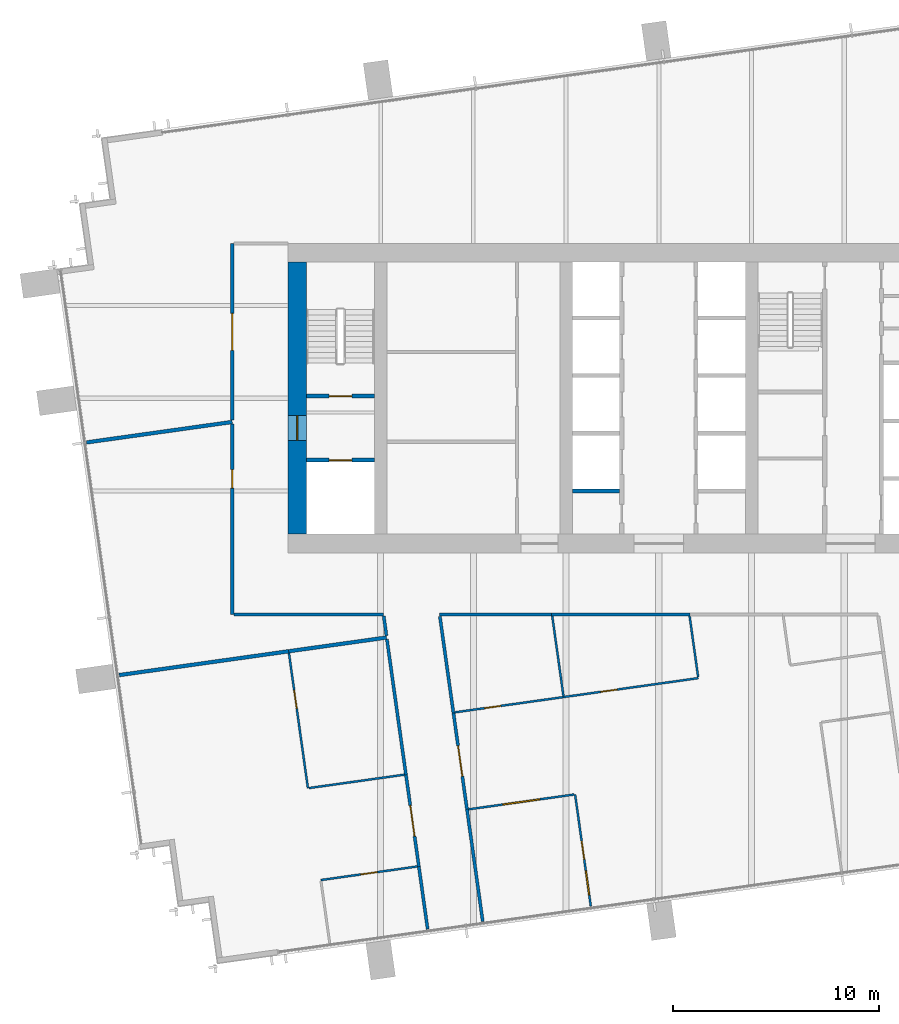
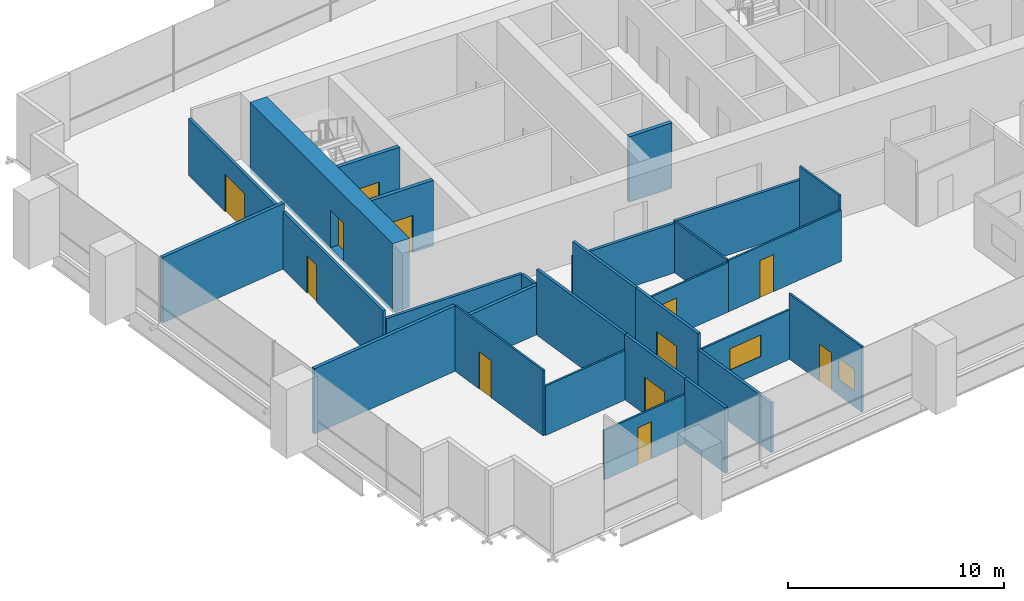
# One storey, part 9 of 14: 28 walls, 12 doors, 2 windows, 14 openings.
"""IFC4 building model written with IfcOpenShell, lengths in metres."""

from ifc_helpers import new_model, si_unit, direction, frame, frame_2d, origin, place, context, subcontext, project, spatial, rectangle, extrude, material, layer, layer_set, type_object, element, fill, save


model = new_model("IFC4")

# Units and contexts
model_context = context("Model", 3, precision=1e-05, world=origin(), true_north=direction((0.0, 1.0)))
body_context = subcontext(model_context, "Body", "Model", "MODEL_VIEW")
ifc_project = project(units=[si_unit("LENGTHUNIT", "METRE"), si_unit("AREAUNIT", "SQUARE_METRE"), si_unit("VOLUMEUNIT", "CUBIC_METRE"), si_unit("PLANEANGLEUNIT", "RADIAN"), si_unit("MASSUNIT", "GRAM", prefix="KILO")], contexts=[model_context])

# Site, building, storey
site_placement = place(None, origin())
site = spatial("IfcSite", under=ifc_project, at=site_placement, CompositionType="ELEMENT")
building_placement = place(site_placement, origin())
building = spatial("IfcBuilding", under=site, at=building_placement, Name="Rattan Terrace Tower", CompositionType="ELEMENT")
storey_placement = place(building_placement, frame((0.0, 0.0, 184.10009765625)))
storey = spatial("IfcBuildingStorey", under=building, at=storey_placement, Name="L42", CompositionType="ELEMENT", Elevation=184.10009765625)

# Wall, opening, door
ifc_material_1 = material(Name="Gypsum board partition")
ifc_layer_1 = layer(ifc_material_1, 0.199951171875)
ifc_layer_set_1 = layer_set([ifc_layer_1], Name="Core partition 200")
wall_type_1 = type_object("IfcWallType", Name="Core partition 200", PredefinedType="PARTITIONING", material=ifc_layer_set_1)
wall_1_placement = place(storey_placement, frame((-17.10009765625, -3.0, 0.0), z_axis=(0.0, 0.0, 1.0), x_axis=(1.0, 0.0, 0.0)))
wall_1 = element("IfcWall", 1, at=wall_1_placement, inside=storey, type_object=wall_type_1, Name="Fire-fighting lobby wall", PredefinedType="PARTITIONING", context=body_context, shape_type="SweptSolid", body=[
    extrude(rectangle(XDim=3.300048828125, YDim=0.199951171875, at=frame_2d((1.64990234375, 0.0))), origin(), (0.0, 0.0, 1.0), 3.699951171875),
])
opening_1_placement = place(wall_1_placement, frame((1.10009765625, 0.0, 0.0)))
opening_1 = element("IfcOpeningElement", 2, at=opening_1_placement, cuts=wall_1, Name="Opening L42-LD-FF1", PredefinedType="OPENING", context=body_context, shape_type="SweptSolid", body=[
    extrude(rectangle(XDim=1.10009765625, YDim=2.10009765625, at=frame_2d((0.550048828125, 1.050048828125))), frame((0.0, 0.110595703125, 0.0), z_axis=(0.0, -1.0, 0.0), x_axis=(1.0, 0.0, 0.0)), (0.0, 0.0, 1.0), 0.220947265625),
])
ifc_material_2 = material(Name="Brushed stainless landing door panel")
door_type_1 = type_object("IfcDoorType", Name="Core lift landing door 1100", OperationType="DOUBLE_DOOR_SLIDING", PredefinedType="DOOR", material=ifc_material_2)
door_1_placement = place(opening_1_placement, origin())
door_1 = element("IfcDoor", 3, at=door_1_placement, inside=storey, type_object=door_type_1, Name="Door L42-LD-FF1", OperationType="DOUBLE_DOOR_SLIDING", OverallHeight=2.10009765625, OverallWidth=1.10009765625, PredefinedType="DOOR", context=body_context, shape_type="SweptSolid", body=[
    extrude(rectangle(XDim=1.10009765625, YDim=2.10009765625, at=frame_2d((0.550048828125, 1.050048828125))), frame((0.0, 0.02490234375, 0.0), z_axis=(0.0, -1.0, 0.0), x_axis=(1.0, 0.0, 0.0)), (0.0, 0.0, 1.0), 0.050048828125),
])
fill(opening_1, door_1)

wall_2_placement = place(storey_placement, frame((-17.10009765625, 0.10009765625, 0.0), z_axis=(0.0, 0.0, 1.0), x_axis=(1.0, 0.0, 0.0)))
wall_2 = element("IfcWall", 4, at=wall_2_placement, inside=storey, type_object=wall_type_1, Name="Stair enclosure wall", PredefinedType="PARTITIONING", context=body_context, shape_type="SweptSolid", body=[
    extrude(rectangle(XDim=3.300048828125, YDim=0.199951171875, at=frame_2d((1.64990234375, 0.0))), origin(), (0.0, 0.0, 1.0), 3.699951171875),
])
opening_2_placement = place(wall_2_placement, frame((1.10009765625, 0.0, 0.0)))
opening_2 = element("IfcOpeningElement", 5, at=opening_2_placement, cuts=wall_2, Name="Opening L42-D002", PredefinedType="OPENING", context=body_context, shape_type="SweptSolid", body=[
    extrude(rectangle(XDim=1.10009765625, YDim=2.10009765625, at=frame_2d((0.550048828125, 1.050048828125))), frame((0.0, 0.110595703125, 0.0), z_axis=(0.0, -1.0, 0.0), x_axis=(1.0, 0.0, 0.0)), (0.0, 0.0, 1.0), 0.220947265625),
])
ifc_material_3 = material(Name="Hollow-metal fire door leaf")
door_type_2 = type_object("IfcDoorType", Name="Core stair door 1100", OperationType="NOTDEFINED", PredefinedType="DOOR", material=ifc_material_3)
door_2_placement = place(opening_2_placement, origin())
door_2 = element("IfcDoor", 6, at=door_2_placement, inside=storey, type_object=door_type_2, Name="Door L42-D002", OperationType="SINGLE_SWING_RIGHT", OverallHeight=2.10009765625, OverallWidth=1.10009765625, PredefinedType="DOOR", context=body_context, shape_type="SweptSolid", body=[
    extrude(rectangle(XDim=1.10009765625, YDim=2.10009765625, at=frame_2d((0.550048828125, 1.050048828125))), frame((0.0, 0.02490234375, 0.0), z_axis=(0.0, -1.0, 0.0), x_axis=(1.0, 0.0, 0.0)), (0.0, 0.0, 1.0), 0.050048828125),
])
fill(opening_2, door_2)

ifc_material_4 = material(Name="Concrete C60/75", Category="concrete")
ifc_layer_2 = layer(ifc_material_4, 0.89990234375)
ifc_layer_set_2 = layer_set([ifc_layer_2], Name="Core ring wall 900 C60/75")
wall_type_2 = type_object("IfcWallType", Name="Core ring wall 900 C60/75", PredefinedType="SHEAR", material=ifc_layer_set_2)
wall_3_placement = place(storey_placement, frame((-17.550048828125, -6.60009765625, -0.2001953125), z_axis=(0.0, 0.0, 1.0), x_axis=(0.0, 1.0, 0.0)))
wall_3 = element("IfcWall", 7, at=wall_3_placement, inside=storey, type_object=wall_type_2, Name="Rear core wall west", PredefinedType="SHEAR", context=body_context, shape_type="SweptSolid", body=[
    extrude(rectangle(XDim=13.2001953125, YDim=0.89990234375, at=frame_2d((6.60009765625, 0.0))), origin(), (0.0, 0.0, 1.0), 3.900146484375),
])
opening_3_placement = place(wall_3_placement, frame((4.550048828125, 0.0, 0.199951171875)))
opening_3 = element("IfcOpeningElement", 8, at=opening_3_placement, cuts=wall_3, Name="Opening L42-D001", PredefinedType="OPENING", context=body_context, shape_type="SweptSolid", body=[
    extrude(rectangle(XDim=1.199951171875, YDim=2.10009765625, at=frame_2d((0.60009765625, 1.050048828125))), frame((0.0, 0.46044921875, 0.0), z_axis=(0.0, -1.0, 0.0), x_axis=(1.0, 0.0, 0.0)), (0.0, 0.0, 1.0), 0.9208984375),
])
ifc_material_5 = material(Name="Hollow-metal fire door leaf")
door_type_3 = type_object("IfcDoorType", Name="Core fire-fighting lobby door 1200", OperationType="NOTDEFINED", PredefinedType="DOOR", material=ifc_material_5)
door_3_placement = place(opening_3_placement, origin())
door_3 = element("IfcDoor", 9, at=door_3_placement, inside=storey, type_object=door_type_3, Name="Door L42-D001", OperationType="SINGLE_SWING_LEFT", OverallHeight=2.10009765625, OverallWidth=1.199951171875, PredefinedType="DOOR", context=body_context, shape_type="SweptSolid", body=[
    extrude(rectangle(XDim=1.199951171875, YDim=2.10009765625, at=frame_2d((0.60009765625, 1.050048828125))), frame((0.0, 0.02490234375, 0.0), z_axis=(0.0, -1.0, 0.0), x_axis=(1.0, 0.0, 0.0)), (0.0, 0.0, 1.0), 0.050048828125),
])
fill(opening_3, door_3)

# Walls
ifc_material_6 = material(Name="Double steel stud acoustic partition, gypsum board, mineral wool, fire rated", Category="steel")
ifc_layer_3 = layer(ifc_material_6, 0.179931640625)
ifc_layer_set_3 = layer_set([ifc_layer_3], Name="Floors Acoustic Party Wall 180")
wall_type_3 = type_object("IfcWallType", Name="Floors Acoustic Party Wall 180", PredefinedType="PARTITIONING", material=ifc_layer_set_3)
wall_4_placement = place(storey_placement, frame((-26.18310546875, -13.43603515625, 0.0), z_axis=(0.0, 0.0, 1.0), x_axis=(0.990260506457, 0.139226898809, 0.0)))
element("IfcWall", 10, at=wall_4_placement, inside=storey, type_object=wall_type_3, Name="pt-L42-029", PredefinedType="PARTITIONING", context=body_context, shape_type="SweptSolid", body=[
    extrude(rectangle(XDim=8.302978515625, YDim=0.179931640625, at=frame_2d((4.1513671875, 0.0))), origin(), (0.0, 0.0, 1.0), 3.699951171875),
])
wall_5_placement = place(storey_placement, frame((-17.9609375, -12.280029296875, 0.0), z_axis=(0.0, 0.0, 1.0), x_axis=(0.990268412035, 0.139170658277, 0.0)))
element("IfcWall", 11, at=wall_5_placement, inside=storey, type_object=wall_type_3, Name="pt-L42-030", PredefinedType="PARTITIONING", context=body_context, shape_type="SweptSolid", body=[
    extrude(rectangle(XDim=4.799560546875, YDim=0.179931640625, at=frame_2d((2.39990234375, 0.0))), origin(), (0.0, 0.0, 1.0), 2.7998046875),
])
wall_6_placement = place(storey_placement, frame((-27.76904296875, -2.14599609375, 0.0), z_axis=(0.0, 0.0, 1.0), x_axis=(0.990279188786, 0.139093954785, 0.0)))
element("IfcWall", 12, at=wall_6_placement, inside=storey, type_object=wall_type_3, Name="pt-L42-039", PredefinedType="PARTITIONING", context=body_context, shape_type="SweptSolid", body=[
    extrude(rectangle(XDim=7.138427734375, YDim=0.179931640625, at=frame_2d((3.5693359375, 0.0))), origin(), (0.0, 0.0, 1.0), 3.699951171875),
])

# Wall, opening, door
ifc_material_7 = material(Name="Gypsum board partition on steel studs", Category="steel")
ifc_layer_4 = layer(ifc_material_7, 0.10009765625)
ifc_layer_set_4 = layer_set([ifc_layer_4], Name="Floors Partition 100")
wall_type_4 = type_object("IfcWallType", Name="Floors Partition 100", PredefinedType="PARTITIONING", material=ifc_layer_set_4)
wall_7_placement = place(storey_placement, frame((-11.720947265625, -22.722900390625, 0.0), z_axis=(0.0, 0.0, 1.0), x_axis=(-0.990254018594, -0.139273036368, 0.0)))
wall_7 = element("IfcWall", 13, at=wall_7_placement, inside=storey, type_object=wall_type_4, Name="pt-L42-026", PredefinedType="PARTITIONING", context=body_context, shape_type="SweptSolid", body=[
    extrude(rectangle(XDim=4.72607421875, YDim=0.10009765625, at=frame_2d((2.363037109375, 0.0))), origin(), (0.0, 0.0, 1.0), 2.7998046875),
])
opening_4_placement = place(wall_7_placement, frame((1.962890625, 0.0, 0.0)))
opening_4 = element("IfcOpeningElement", 14, at=opening_4_placement, cuts=wall_7, Name="Opening L42-D101", PredefinedType="OPENING", context=body_context, shape_type="SweptSolid", body=[
    extrude(rectangle(XDim=0.800048828125, YDim=2.10009765625, at=frame_2d((0.39990234375, 1.050048828125))), frame((0.0, 0.060546875, 0.0), z_axis=(0.0, -1.0, 0.0), x_axis=(1.0, 0.0, 0.0)), (0.0, 0.0, 1.0), 0.12109375),
])
ifc_material_8 = material(Name="Solid core timber door, painted", Category="wood")
door_type_4 = type_object("IfcDoorType", Name="Floors Store Door 800x2100", OperationType="NOTDEFINED", PredefinedType="DOOR", material=ifc_material_8)
door_4_placement = place(opening_4_placement, origin())
door_4 = element("IfcDoor", 15, at=door_4_placement, inside=storey, type_object=door_type_4, Name="d-L42-101", OperationType="SINGLE_SWING_RIGHT", OverallHeight=2.10009765625, OverallWidth=0.800048828125, PredefinedType="DOOR", context=body_context, shape_type="SweptSolid", body=[
    extrude(rectangle(XDim=0.800048828125, YDim=2.10009765625, at=frame_2d((0.39990234375, 1.050048828125))), frame((0.0, 0.02490234375, 0.0), z_axis=(0.0, -1.0, 0.0), x_axis=(1.0, 0.0, 0.0)), (0.0, 0.0, 1.0), 0.050048828125),
])
fill(opening_4, door_4)

wall_8_placement = place(storey_placement, frame((-17.948974609375, -12.368896484375, 0.0), z_axis=(0.0, 0.0, 1.0), x_axis=(0.1392424012, -0.990258326755, 0.0)))
wall_8 = element("IfcWall", 16, at=wall_8_placement, inside=storey, type_object=wall_type_4, Name="pt-L42-027", PredefinedType="PARTITIONING", context=body_context, shape_type="SweptSolid", body=[
    extrude(rectangle(XDim=6.62060546875, YDim=0.10009765625, at=frame_2d((3.310302734375, 0.0))), origin(), (0.0, 0.0, 1.0), 3.699951171875),
])
opening_5_placement = place(wall_8_placement, frame((1.81591796875, 0.0, 0.0)))
opening_5 = element("IfcOpeningElement", 17, at=opening_5_placement, cuts=wall_8, Name="Opening L42-D102", PredefinedType="OPENING", context=body_context, shape_type="SweptSolid", body=[
    extrude(rectangle(XDim=0.89990234375, YDim=2.10009765625, at=frame_2d((0.449951171875, 1.050048828125))), frame((0.0, 0.060546875, 0.0), z_axis=(0.0, -1.0, 0.0), x_axis=(1.0, 0.0, 0.0)), (0.0, 0.0, 1.0), 0.12109375),
])
ifc_material_9 = material(Name="Solid core timber door, painted", Category="wood")
door_type_5 = type_object("IfcDoorType", Name="Floors Door 900x2100", OperationType="NOTDEFINED", PredefinedType="DOOR", material=ifc_material_9)
door_5_placement = place(opening_5_placement, origin())
door_5 = element("IfcDoor", 18, at=door_5_placement, inside=storey, type_object=door_type_5, Name="d-L42-102", OperationType="SINGLE_SWING_LEFT", OverallHeight=2.10009765625, OverallWidth=0.89990234375, PredefinedType="DOOR", context=body_context, shape_type="SweptSolid", body=[
    extrude(rectangle(XDim=0.89990234375, YDim=2.10009765625, at=frame_2d((0.449951171875, 1.050048828125))), frame((0.0, 0.02490234375, 0.0), z_axis=(0.0, -1.0, 0.0), x_axis=(1.0, 0.0, 0.0)), (0.0, 0.0, 1.0), 0.050048828125),
])
fill(opening_5, door_5)

# Wall
wall_9_placement = place(storey_placement, frame((-16.97705078125, -18.91796875, 0.0), z_axis=(0.0, 0.0, 1.0), x_axis=(0.990292211818, 0.139001205793, 0.0)))
element("IfcWall", 19, at=wall_9_placement, inside=storey, type_object=wall_type_4, Name="pt-L42-028", PredefinedType="PARTITIONING", context=body_context, shape_type="SweptSolid", body=[
    extrude(rectangle(XDim=4.675537109375, YDim=0.10009765625, at=frame_2d((2.337890625, 0.0))), origin(), (0.0, 0.0, 1.0), 2.7998046875),
])

# Wall, opening, window
wall_10_placement = place(storey_placement, frame((-4.114013671875, -19.23095703125, 0.0), z_axis=(0.0, 0.0, 1.0), x_axis=(-0.990279259335, -0.139093452508, 0.0)))
wall_10 = element("IfcWall", 20, at=wall_10_placement, inside=storey, type_object=wall_type_4, Name="pt-L42-049", PredefinedType="PARTITIONING", context=body_context, shape_type="SweptSolid", body=[
    extrude(rectangle(XDim=5.169189453125, YDim=0.10009765625, at=frame_2d((2.58447265625, 0.0))), origin(), (0.0, 0.0, 1.0), 2.7998046875),
])
opening_6_placement = place(wall_10_placement, frame((1.68505859375, 0.0, 0.89990234375)))
opening_6 = element("IfcOpeningElement", 21, at=opening_6_placement, cuts=wall_10, Name="Opening L42-W101", PredefinedType="OPENING", context=body_context, shape_type="SweptSolid", body=[
    extrude(rectangle(XDim=1.800048828125, YDim=1.199951171875, at=frame_2d((0.89990234375, 0.60009765625))), frame((0.0, 0.060546875, 0.0), z_axis=(0.0, -1.0, 0.0), x_axis=(1.0, 0.0, 0.0)), (0.0, 0.0, 1.0), 0.12109375),
])
ifc_material_10 = material(Name="Glass, clear, fixed in aluminium frame", Category="aluminium")
window_type_1 = type_object("IfcWindowType", Name="Interior Vision Window 1800x1200", PartitioningType="SINGLE_PANEL", PredefinedType="WINDOW", material=ifc_material_10)
window_1_placement = place(opening_6_placement, origin())
window_1 = element("IfcWindow", 22, at=window_1_placement, inside=storey, type_object=window_type_1, Name="w-L42-101", OverallHeight=1.199951171875, OverallWidth=1.800048828125, PartitioningType="SINGLE_PANEL", PredefinedType="WINDOW", context=body_context, shape_type="SweptSolid", body=[
    extrude(rectangle(XDim=1.800048828125, YDim=1.199951171875, at=frame_2d((0.89990234375, 0.60009765625))), frame((0.0, 0.030029296875, 0.0), z_axis=(0.0, -1.0, 0.0), x_axis=(1.0, 0.0, 0.0)), (0.0, 0.0, 1.0), 0.06005859375),
])
fill(opening_6, window_1)

# Wall, openings, door, window
wall_11_placement = place(storey_placement, frame((-3.301025390625, -24.64990234375, 0.0), z_axis=(0.0, 0.0, 1.0), x_axis=(-0.139243907894, 0.990258114894, 0.0)))
wall_11 = element("IfcWall", 23, at=wall_11_placement, inside=storey, type_object=wall_type_4, Name="pt-L42-050", PredefinedType="PARTITIONING", context=body_context, shape_type="SweptSolid", body=[
    extrude(rectangle(XDim=5.479248046875, YDim=0.10009765625, at=frame_2d((2.73974609375, 0.0))), origin(), (0.0, 0.0, 1.0), 3.699951171875),
])
opening_7_placement = place(wall_11_placement, frame((2.2900390625, 0.0, 0.0)))
opening_7 = element("IfcOpeningElement", 24, at=opening_7_placement, cuts=wall_11, Name="Opening L42-D113", PredefinedType="OPENING", context=body_context, shape_type="SweptSolid", body=[
    extrude(rectangle(XDim=0.89990234375, YDim=2.10009765625, at=frame_2d((0.449951171875, 1.050048828125))), frame((0.0, 0.060546875, 0.0), z_axis=(0.0, -1.0, 0.0), x_axis=(1.0, 0.0, 0.0)), (0.0, 0.0, 1.0), 0.12109375),
])
opening_8_placement = place(wall_11_placement, frame((0.544921875, 0.0, 0.89990234375)))
opening_8 = element("IfcOpeningElement", 25, at=opening_8_placement, cuts=wall_11, Name="Opening L42-W102", PredefinedType="OPENING", context=body_context, shape_type="SweptSolid", body=[
    extrude(rectangle(XDim=1.199951171875, YDim=1.199951171875, at=frame_2d((0.60009765625, 0.60009765625))), frame((0.0, 0.060546875, 0.0), z_axis=(0.0, -1.0, 0.0), x_axis=(1.0, 0.0, 0.0)), (0.0, 0.0, 1.0), 0.12109375),
])
door_6_placement = place(opening_7_placement, origin())
door_6 = element("IfcDoor", 26, at=door_6_placement, inside=storey, type_object=door_type_5, Name="d-L42-113", OperationType="SINGLE_SWING_RIGHT", OverallHeight=2.10009765625, OverallWidth=0.89990234375, PredefinedType="DOOR", context=body_context, shape_type="SweptSolid", body=[
    extrude(rectangle(XDim=0.89990234375, YDim=2.10009765625, at=frame_2d((0.449951171875, 1.050048828125))), frame((0.0, 0.02490234375, 0.0), z_axis=(0.0, -1.0, 0.0), x_axis=(1.0, 0.0, 0.0)), (0.0, 0.0, 1.0), 0.050048828125),
])
fill(opening_7, door_6)
ifc_material_11 = material(Name="Glass, clear, fixed in aluminium frame", Category="aluminium")
window_type_2 = type_object("IfcWindowType", Name="Interior Vision Window 1200x1200", PartitioningType="SINGLE_PANEL", PredefinedType="WINDOW", material=ifc_material_11)
window_2_placement = place(opening_8_placement, origin())
window_2 = element("IfcWindow", 27, at=window_2_placement, inside=storey, type_object=window_type_2, Name="w-L42-102", OverallHeight=1.199951171875, OverallWidth=1.199951171875, PartitioningType="SINGLE_PANEL", PredefinedType="WINDOW", context=body_context, shape_type="SweptSolid", body=[
    extrude(rectangle(XDim=1.199951171875, YDim=1.199951171875, at=frame_2d((0.60009765625, 0.60009765625))), frame((0.0, 0.030029296875, 0.0), z_axis=(0.0, -1.0, 0.0), x_axis=(1.0, 0.0, 0.0)), (0.0, 0.0, 1.0), 0.06005859375),
])
fill(opening_8, window_2)

# Wall, opening, door
wall_12_placement = place(storey_placement, frame((-9.89501953125, -15.242919921875, 0.0), z_axis=(0.0, 0.0, 1.0), x_axis=(0.99027719117, 0.139108176064, 0.0)))
wall_12 = element("IfcWall", 28, at=wall_12_placement, inside=storey, type_object=wall_type_4, Name="pt-L42-053", PredefinedType="PARTITIONING", context=body_context, shape_type="SweptSolid", body=[
    extrude(rectangle(XDim=5.305419921875, YDim=0.10009765625, at=frame_2d((2.65283203125, 0.0))), origin(), (0.0, 0.0, 1.0), 2.7998046875),
])
opening_9_placement = place(wall_12_placement, frame((1.451904296875, 0.0, 0.0)))
opening_9 = element("IfcOpeningElement", 29, at=opening_9_placement, cuts=wall_12, Name="Opening L42-D115", PredefinedType="OPENING", context=body_context, shape_type="SweptSolid", body=[
    extrude(rectangle(XDim=0.800048828125, YDim=2.10009765625, at=frame_2d((0.39990234375, 1.050048828125))), frame((0.0, 0.060546875, 0.0), z_axis=(0.0, -1.0, 0.0), x_axis=(1.0, 0.0, 0.0)), (0.0, 0.0, 1.0), 0.12109375),
])
door_7_placement = place(opening_9_placement, origin())
door_7 = element("IfcDoor", 30, at=door_7_placement, inside=storey, type_object=door_type_4, Name="d-L42-115", OperationType="SINGLE_SWING_LEFT", OverallHeight=2.10009765625, OverallWidth=0.800048828125, PredefinedType="DOOR", context=body_context, shape_type="SweptSolid", body=[
    extrude(rectangle(XDim=0.800048828125, YDim=2.10009765625, at=frame_2d((0.39990234375, 1.050048828125))), frame((0.0, 0.02490234375, 0.0), z_axis=(0.0, -1.0, 0.0), x_axis=(1.0, 0.0, 0.0)), (0.0, 0.0, 1.0), 0.050048828125),
])
fill(opening_9, door_7)

wall_13_placement = place(storey_placement, frame((-4.64111328125, -14.5048828125, 0.0), z_axis=(0.0, 0.0, 1.0), x_axis=(0.990258326755, 0.1392424012, 0.0)))
wall_13 = element("IfcWall", 31, at=wall_13_placement, inside=storey, type_object=wall_type_4, Name="pt-L42-054", PredefinedType="PARTITIONING", context=body_context, shape_type="SweptSolid", body=[
    extrude(rectangle(XDim=6.62060546875, YDim=0.10009765625, at=frame_2d((3.310302734375, 0.0))), origin(), (0.0, 0.0, 1.0), 2.89990234375),
])
opening_10_placement = place(wall_13_placement, frame((1.845947265625, 0.0, 0.0)))
opening_10 = element("IfcOpeningElement", 32, at=opening_10_placement, cuts=wall_13, Name="Opening L42-D116", PredefinedType="OPENING", context=body_context, shape_type="SweptSolid", body=[
    extrude(rectangle(XDim=0.800048828125, YDim=2.10009765625, at=frame_2d((0.39990234375, 1.050048828125))), frame((0.0, 0.060546875, 0.0), z_axis=(0.0, -1.0, 0.0), x_axis=(1.0, 0.0, 0.0)), (0.0, 0.0, 1.0), 0.12109375),
])
door_8_placement = place(opening_10_placement, origin())
door_8 = element("IfcDoor", 33, at=door_8_placement, inside=storey, type_object=door_type_4, Name="d-L42-116", OperationType="SINGLE_SWING_LEFT", OverallHeight=2.10009765625, OverallWidth=0.800048828125, PredefinedType="DOOR", context=body_context, shape_type="SweptSolid", body=[
    extrude(rectangle(XDim=0.800048828125, YDim=2.10009765625, at=frame_2d((0.39990234375, 1.050048828125))), frame((0.0, 0.02490234375, 0.0), z_axis=(0.0, -1.0, 0.0), x_axis=(1.0, 0.0, 0.0)), (0.0, 0.0, 1.0), 0.050048828125),
])
fill(opening_10, door_8)

# Walls
wall_14_placement = place(storey_placement, frame((1.907958984375, -13.532958984375, 0.0), z_axis=(0.0, 0.0, 1.0), x_axis=(-0.138954956276, 0.990298702476, 0.0)))
element("IfcWall", 34, at=wall_14_placement, inside=storey, type_object=wall_type_4, Name="pt-L42-055", PredefinedType="PARTITIONING", context=body_context, shape_type="SweptSolid", body=[
    extrude(rectangle(XDim=2.993896484375, YDim=0.10009765625, at=frame_2d((1.4970703125, 0.0))), origin(), (0.0, 0.0, 1.0), 3.699951171875),
])
wall_15_placement = place(storey_placement, frame((-5.173095703125, -10.568115234375, 0.0), z_axis=(0.0, 0.0, 1.0), x_axis=(0.139006835826, -0.990291421549, 0.0)))
element("IfcWall", 35, at=wall_15_placement, inside=storey, type_object=wall_type_4, Name="pt-L42-058", PredefinedType="PARTITIONING", context=body_context, shape_type="SweptSolid", body=[
    extrude(rectangle(XDim=3.921875, YDim=0.10009765625, at=frame_2d((1.9609375, 0.0))), origin(), (0.0, 0.0, 1.0), 2.89990234375),
])

# Wall, opening, door
ifc_material_12 = material(Name="Gypsum board partition on steel studs, fire rated", Category="steel")
ifc_layer_5 = layer(ifc_material_12, 0.14990234375)
ifc_layer_set_5 = layer_set([ifc_layer_5], Name="Floors Tenancy Wall 150")
wall_type_5 = type_object("IfcWallType", Name="Floors Tenancy Wall 150", PredefinedType="PARTITIONING", material=ifc_layer_set_5)
wall_16_placement = place(storey_placement, frame((-11.64404296875, -22.73291015625, 0.0), z_axis=(0.0, 0.0, 1.0), x_axis=(-0.139081954514, 0.990280874262, 0.0)))
wall_16 = element("IfcWall", 36, at=wall_16_placement, inside=storey, type_object=wall_type_5, Name="pt-L42-001", PredefinedType="PARTITIONING", context=body_context, shape_type="SweptSolid", body=[
    extrude(rectangle(XDim=4.500732421875, YDim=0.14990234375, at=frame_2d((2.25048828125, 0.0))), origin(), (0.0, 0.0, 1.0), 3.699951171875),
])
opening_11_placement = place(wall_16_placement, frame((1.5, 0.0, 0.0)))
opening_11 = element("IfcOpeningElement", 37, at=opening_11_placement, cuts=wall_16, Name="Opening L42-D100", PredefinedType="OPENING", context=body_context, shape_type="SweptSolid", body=[
    extrude(rectangle(XDim=1.5, YDim=2.10009765625, at=frame_2d((0.75, 1.050048828125))), frame((0.0, 0.08544921875, 0.0), z_axis=(0.0, -1.0, 0.0), x_axis=(1.0, 0.0, 0.0)), (0.0, 0.0, 1.0), 0.1708984375),
])
ifc_material_13 = material(Name="Steel fire door set", Category="steel")
door_type_6 = type_object("IfcDoorType", Name="Floors Unit Door Pair FD30S 1500x2100", OperationType="NOTDEFINED", PredefinedType="DOOR", material=ifc_material_13)
door_9_placement = place(opening_11_placement, origin())
door_9 = element("IfcDoor", 38, at=door_9_placement, inside=storey, type_object=door_type_6, Name="d-L42-100", OperationType="DOUBLE_DOOR_SINGLE_SWING", OverallHeight=2.10009765625, OverallWidth=1.5, PredefinedType="DOOR", context=body_context, shape_type="SweptSolid", body=[
    extrude(rectangle(XDim=1.5, YDim=2.10009765625, at=frame_2d((0.75, 1.050048828125))), frame((0.0, 0.02490234375, 0.0), z_axis=(0.0, -1.0, 0.0), x_axis=(1.0, 0.0, 0.0)), (0.0, 0.0, 1.0), 0.050048828125),
])
fill(opening_11, door_9)

# Walls
wall_17_placement = place(storey_placement, frame((-11.218017578125, -25.762939453125, 0.0), z_axis=(0.0, 0.0, 1.0), x_axis=(-0.139187613425, 0.990266029039, 0.0)))
element("IfcWall", 39, at=wall_17_placement, inside=storey, type_object=wall_type_5, Name="pt-L42-002", PredefinedType="PARTITIONING", context=body_context, shape_type="SweptSolid", body=[
    extrude(rectangle(XDim=3.060791015625, YDim=0.14990234375, at=frame_2d((1.5302734375, 0.0))), origin(), (0.0, 0.0, 1.0), 3.699951171875),
])
wall_18_placement = place(storey_placement, frame((-12.27001953125, -18.277099609375, 0.0), z_axis=(0.0, 0.0, 1.0), x_axis=(-0.139151184207, 0.990271148693, 0.0)))
element("IfcWall", 40, at=wall_18_placement, inside=storey, type_object=wall_type_5, Name="pt-L42-003", PredefinedType="PARTITIONING", context=body_context, shape_type="SweptSolid", body=[
    extrude(rectangle(XDim=6.640869140625, YDim=0.14990234375, at=frame_2d((3.3203125, 0.0))), origin(), (0.0, 0.0, 1.0), 3.699951171875),
])

# Wall, opening, door
wall_19_placement = place(storey_placement, frame((-20.699951171875, -10.5, 0.0), z_axis=(0.0, 0.0, 1.0), x_axis=(0.0, 1.0, 0.0)))
wall_19 = element("IfcWall", 41, at=wall_19_placement, inside=storey, type_object=wall_type_5, Name="pt-L42-007", PredefinedType="PARTITIONING", context=body_context, shape_type="SweptSolid", body=[
    extrude(rectangle(XDim=9.24609375, YDim=0.14990234375, at=frame_2d((4.623046875, 0.0))), origin(), (0.0, 0.0, 1.0), 3.25),
])
opening_12_placement = place(wall_19_placement, frame((6.134033203125, 0.0, 0.0)))
opening_12 = element("IfcOpeningElement", 42, at=opening_12_placement, cuts=wall_19, Name="Opening L42-D106", PredefinedType="OPENING", context=body_context, shape_type="SweptSolid", body=[
    extrude(rectangle(XDim=0.89990234375, YDim=2.10009765625, at=frame_2d((0.449951171875, 1.050048828125))), frame((0.0, 0.08544921875, 0.0), z_axis=(0.0, -1.0, 0.0), x_axis=(1.0, 0.0, 0.0)), (0.0, 0.0, 1.0), 0.1708984375),
])
ifc_material_14 = material(Name="Steel fire door set", Category="steel")
door_type_7 = type_object("IfcDoorType", Name="Floors Fire Door FD30S 900x2100", OperationType="NOTDEFINED", PredefinedType="DOOR", material=ifc_material_14)
door_10_placement = place(opening_12_placement, origin())
door_10 = element("IfcDoor", 43, at=door_10_placement, inside=storey, type_object=door_type_7, Name="d-L42-106", OperationType="SINGLE_SWING_RIGHT", OverallHeight=2.10009765625, OverallWidth=0.89990234375, PredefinedType="DOOR", context=body_context, shape_type="SweptSolid", body=[
    extrude(rectangle(XDim=0.89990234375, YDim=2.10009765625, at=frame_2d((0.449951171875, 1.050048828125))), frame((0.0, 0.02490234375, 0.0), z_axis=(0.0, -1.0, 0.0), x_axis=(1.0, 0.0, 0.0)), (0.0, 0.0, 1.0), 0.050048828125),
])
fill(opening_12, door_10)

# Walls
wall_20_placement = place(storey_placement, frame((-13.363037109375, -10.5, 0.0), z_axis=(0.0, 0.0, 1.0), x_axis=(-1.0, 0.0, 0.0)))
element("IfcWall", 44, at=wall_20_placement, inside=storey, type_object=wall_type_5, Name="pt-L42-008", PredefinedType="PARTITIONING", context=body_context, shape_type="SweptSolid", body=[
    extrude(rectangle(XDim=7.261962890625, YDim=0.14990234375, at=frame_2d((3.630859375, 0.0))), origin(), (0.0, 0.0, 1.0), 2.7998046875),
])
wall_21_placement = place(storey_placement, frame((-13.217041015625, -11.52197265625, 0.0), z_axis=(0.0, 0.0, 1.0), x_axis=(-0.138852741578, 0.990313039476, 0.0)))
element("IfcWall", 45, at=wall_21_placement, inside=storey, type_object=wall_type_5, Name="pt-L42-009", PredefinedType="PARTITIONING", context=body_context, shape_type="SweptSolid", body=[
    extrude(rectangle(XDim=0.958251953125, YDim=0.14990234375, at=frame_2d((0.47900390625, 0.0))), origin(), (0.0, 0.0, 1.0), 2.7998046875),
])

# Wall, opening, door
wall_22_placement = place(storey_placement, frame((-20.699951171875, -1.06396484375, 0.0), z_axis=(0.0, 0.0, 1.0), x_axis=(0.0, 1.0, 0.0)))
wall_22 = element("IfcWall", 46, at=wall_22_placement, inside=storey, type_object=wall_type_5, Name="pt-L42-011", PredefinedType="PARTITIONING", context=body_context, shape_type="SweptSolid", body=[
    extrude(rectangle(XDim=8.56396484375, YDim=0.14990234375, at=frame_2d((4.281982421875, 0.0))), origin(), (0.0, 0.0, 1.0), 3.199951171875),
])
opening_13_placement = place(wall_22_placement, frame((3.382080078125, 0.0, 0.0)))
opening_13 = element("IfcOpeningElement", 47, at=opening_13_placement, cuts=wall_22, Name="Opening L42-D110", PredefinedType="OPENING", context=body_context, shape_type="SweptSolid", body=[
    extrude(rectangle(XDim=1.800048828125, YDim=2.10009765625, at=frame_2d((0.89990234375, 1.050048828125))), frame((0.0, 0.08544921875, 0.0), z_axis=(0.0, -1.0, 0.0), x_axis=(1.0, 0.0, 0.0)), (0.0, 0.0, 1.0), 0.1708984375),
])
ifc_material_15 = material(Name="Steel fire door set", Category="steel")
door_type_8 = type_object("IfcDoorType", Name="Floors Fire Door Pair FD30S 1800x2100", OperationType="NOTDEFINED", PredefinedType="DOOR", material=ifc_material_15)
door_11_placement = place(opening_13_placement, origin())
door_11 = element("IfcDoor", 48, at=door_11_placement, inside=storey, type_object=door_type_8, Name="d-L42-110", OperationType="DOUBLE_DOOR_SINGLE_SWING", OverallHeight=2.10009765625, OverallWidth=1.800048828125, PredefinedType="DOOR", context=body_context, shape_type="SweptSolid", body=[
    extrude(rectangle(XDim=1.800048828125, YDim=2.10009765625, at=frame_2d((0.89990234375, 1.050048828125))), frame((0.0, 0.02490234375, 0.0), z_axis=(0.0, -1.0, 0.0), x_axis=(1.0, 0.0, 0.0)), (0.0, 0.0, 1.0), 0.050048828125),
])
fill(opening_13, door_11)

wall_23_placement = place(storey_placement, frame((-9.966064453125, -15.27294921875, 0.0), z_axis=(0.0, 0.0, 1.0), x_axis=(0.139137407344, -0.990273084496, 0.0)))
wall_23 = element("IfcWall", 49, at=wall_23_placement, inside=storey, type_object=wall_type_5, Name="pt-L42-015", PredefinedType="PARTITIONING", context=body_context, shape_type="SweptSolid", body=[
    extrude(rectangle(XDim=4.71484375, YDim=0.14990234375, at=frame_2d((2.357421875, 0.0))), origin(), (0.0, 0.0, 1.0), 3.699951171875),
])
opening_14_placement = place(wall_23_placement, frame((1.60693359375, 0.0, 0.0)))
opening_14 = element("IfcOpeningElement", 50, at=opening_14_placement, cuts=wall_23, Name="Opening L42-D112", PredefinedType="OPENING", context=body_context, shape_type="SweptSolid", body=[
    extrude(rectangle(XDim=1.5, YDim=2.10009765625, at=frame_2d((0.75, 1.050048828125))), frame((0.0, 0.08544921875, 0.0), z_axis=(0.0, -1.0, 0.0), x_axis=(1.0, 0.0, 0.0)), (0.0, 0.0, 1.0), 0.1708984375),
])
door_12_placement = place(opening_14_placement, origin())
door_12 = element("IfcDoor", 51, at=door_12_placement, inside=storey, type_object=door_type_6, Name="d-L42-112", OperationType="DOUBLE_DOOR_SINGLE_SWING", OverallHeight=2.10009765625, OverallWidth=1.5, PredefinedType="DOOR", context=body_context, shape_type="SweptSolid", body=[
    extrude(rectangle(XDim=1.5, YDim=2.10009765625, at=frame_2d((0.75, 1.050048828125))), frame((0.0, 0.02490234375, 0.0), z_axis=(0.0, -1.0, 0.0), x_axis=(1.0, 0.0, 0.0)), (0.0, 0.0, 1.0), 0.050048828125),
])
fill(opening_14, door_12)

# Walls
wall_24_placement = place(storey_placement, frame((-9.31005859375, -19.94091796875, 0.0), z_axis=(0.0, 0.0, 1.0), x_axis=(0.139103174181, -0.990277893792, 0.0)))
element("IfcWall", 52, at=wall_24_placement, inside=storey, type_object=wall_type_5, Name="pt-L42-018", PredefinedType="PARTITIONING", context=body_context, shape_type="SweptSolid", body=[
    extrude(rectangle(XDim=5.50048828125, YDim=0.14990234375, at=frame_2d((2.750244140625, 0.0))), origin(), (0.0, 0.0, 1.0), 2.7998046875),
])
wall_25_placement = place(storey_placement, frame((-10.625, -10.5849609375, 0.0), z_axis=(0.0, 0.0, 1.0), x_axis=(0.138987741071, -0.990294101685, 0.0)))
element("IfcWall", 53, at=wall_25_placement, inside=storey, type_object=wall_type_5, Name="pt-L42-020", PredefinedType="PARTITIONING", context=body_context, shape_type="SweptSolid", body=[
    extrude(rectangle(XDim=4.73388671875, YDim=0.14990234375, at=frame_2d((2.366943359375, 0.0))), origin(), (0.0, 0.0, 1.0), 3.699951171875),
])
wall_26_placement = place(storey_placement, frame((-5.202880859375, -10.5, 0.0), z_axis=(0.0, 0.0, 1.0), x_axis=(-1.0, 0.0, 0.0)))
element("IfcWall", 54, at=wall_26_placement, inside=storey, type_object=wall_type_5, Name="pt-L42-021", PredefinedType="PARTITIONING", context=body_context, shape_type="SweptSolid", body=[
    extrude(rectangle(XDim=5.43408203125, YDim=0.14990234375, at=frame_2d((2.717041015625, 0.0))), origin(), (0.0, 0.0, 1.0), 2.7998046875),
])
wall_27_placement = place(storey_placement, frame((1.501953125, -10.5, 0.0), z_axis=(0.0, 0.0, 1.0), x_axis=(-1.0, 0.0, 0.0)))
element("IfcWall", 55, at=wall_27_placement, inside=storey, type_object=wall_type_5, Name="pt-L42-022", PredefinedType="PARTITIONING", context=body_context, shape_type="SweptSolid", body=[
    extrude(rectangle(XDim=6.704833984375, YDim=0.14990234375, at=frame_2d((3.3525390625, 0.0))), origin(), (0.0, 0.0, 1.0), 2.89990234375),
])
ifc_material_16 = material(Name="Gypsum shaft wall system")
ifc_layer_6 = layer(ifc_material_16, 0.199951171875)
ifc_layer_set_6 = layer_set([ifc_layer_6], Name="Lift shaft wall 200")
wall_type_6 = type_object("IfcWallType", Name="Lift shaft wall 200", PredefinedType="PARTITIONING", material=ifc_layer_set_6)
wall_28_placement = place(storey_placement, frame((-4.199951171875, -4.5, 0.0), z_axis=(0.0, 0.0, 1.0), x_axis=(1.0, 0.0, 0.0)))
element("IfcWall", 56, at=wall_28_placement, inside=storey, type_object=wall_type_6, Name="Lift shaft wall", PredefinedType="PARTITIONING", context=body_context, shape_type="SweptSolid", body=[
    extrude(rectangle(XDim=2.300048828125, YDim=0.199951171875, at=frame_2d((1.14990234375, 0.0))), origin(), (0.0, 0.0, 1.0), 3.699951171875),
])

save(model, "model.ifc")
